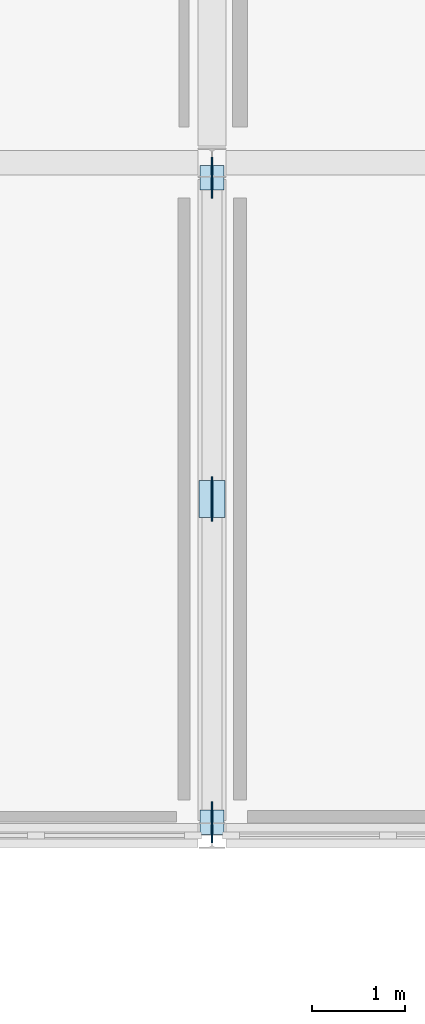
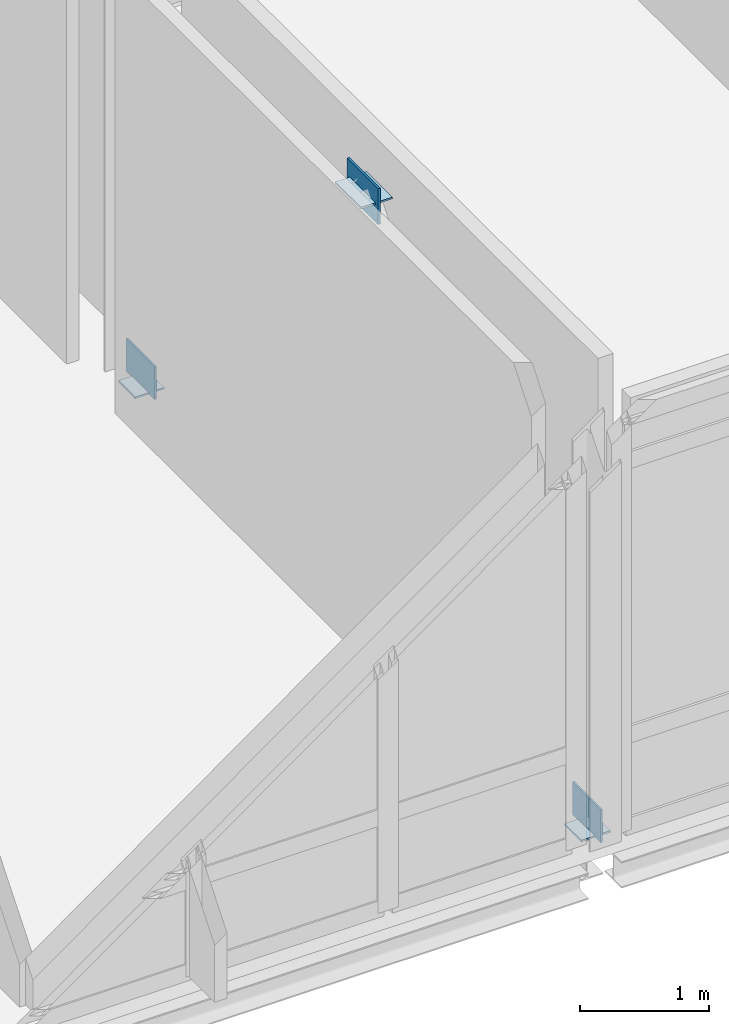
# One storey, part 28 of 43: 6 plates.
"""IFC4 building model written with IfcOpenShell, lengths in metres."""

import ifcopenshell
import ifcopenshell.guid

model = None  # the IFC model being written
_history = None  # IfcOwnerHistory: only IFC2X3 demands one
_inside = {}  # id of a spatial element -> (the spatial element, [elements in it])
_under = {}  # id of a project, library or spatial element -> (it, [spatial elements below it])
_declared = {}  # id of a project -> (the project, [libraries it declares])
_typed = {}  # id of a type object -> (the type object, [elements of that type])
_made_of = {}  # id of a material, layer set ... -> (it, [elements and type objects made of it])


def new_model(schema):
    """Start an empty IFC model of exactly this schema.

    Asked for "IFC4X3", IfcOpenShell would pick the latest addendum, in which some entities
    have other attributes; the version numbers below select the first issue.
    IFC2X3 requires an IfcOwnerHistory on every rooted entity: one is made here for all.
    """
    global model, _history
    if schema == "IFC4X3":
        model = ifcopenshell.file(schema_version=(4, 3, 0, 0))
    else:
        model = ifcopenshell.file(schema=schema)
    _inside.clear()
    _under.clear()
    _declared.clear()
    _typed.clear()
    _made_of.clear()
    _history = None
    if model.schema == "IFC2X3":
        org = make("IfcOrganization", Name="unknown")
        user = make(
            "IfcPersonAndOrganization",
            ThePerson=make("IfcPerson", FamilyName="unknown"),
            TheOrganization=org,
        )
        app = make(
            "IfcApplication",
            ApplicationDeveloper=org,
            Version="unknown",
            ApplicationFullName="unknown",
            ApplicationIdentifier="unknown",
        )
        _history = make(
            "IfcOwnerHistory",
            OwningUser=user,
            OwningApplication=app,
            ChangeAction="ADDED",
            CreationDate=0,
        )
    return model


def make(cls, **values):
    """One entity of the class cls with the attributes given. An attribute that is None is left unset."""
    return model.create_entity(
        cls, **{name: value for name, value in values.items() if value is not None}
    )


def rooted(cls, **values):
    """An entity with a GlobalId (a new one), such as an element, a storey or a relation."""
    return make(cls, GlobalId=ifcopenshell.guid.new(), OwnerHistory=_history, **values)


def si_unit(unit_type, name, prefix=None):
    """IfcSIUnit, for example si_unit("LENGTHUNIT", "METRE", prefix="MILLI")."""
    return make("IfcSIUnit", UnitType=unit_type, Prefix=prefix, Name=name)


def assignment(units):
    """IfcUnitAssignment: the units of a project."""
    return None if units is None else make("IfcUnitAssignment", Units=units)


def point(xyz):
    """IfcCartesianPoint."""
    return None if xyz is None else make("IfcCartesianPoint", Coordinates=xyz)


def direction(xyz):
    """IfcDirection."""
    return None if xyz is None else make("IfcDirection", DirectionRatios=xyz)


def frame(location, z_axis=None, x_axis=None):
    """IfcAxis2Placement3D, a coordinate frame: its origin and axes. An axis left out is left unset."""
    return make(
        "IfcAxis2Placement3D",
        Location=point(location),
        Axis=direction(z_axis),
        RefDirection=direction(x_axis),
    )


def frame_2d(location, x_axis=None):
    """IfcAxis2Placement2D, a coordinate frame in the plane: its origin and x axis."""
    return make(
        "IfcAxis2Placement2D", Location=point(location), RefDirection=direction(x_axis)
    )


def origin():
    """The frame at (0, 0, 0) with its axes left unset."""
    return frame((0.0, 0.0, 0.0))


def origin_2d():
    """The frame at (0, 0) in the plane with its x axis left unset."""
    return frame_2d((0.0, 0.0))


def place(relative_to, where):
    """IfcLocalPlacement: puts the frame where relative to a parent placement (None: the world)."""
    return make(
        "IfcLocalPlacement", PlacementRelTo=relative_to, RelativePlacement=where
    )


def context(
    kind, dimensions, precision=None, world=None, true_north=None, identifier=None
):
    """IfcGeometricRepresentationContext, for example the 3D "Model" context."""
    return make(
        "IfcGeometricRepresentationContext",
        ContextIdentifier=identifier,
        ContextType=kind,
        CoordinateSpaceDimension=dimensions,
        Precision=precision,
        WorldCoordinateSystem=world,
        TrueNorth=true_north,
    )


def subcontext(parent, identifier, kind, view, scale=None):
    """IfcGeometricRepresentationSubContext, for example "Body" below "Model"."""
    return make(
        "IfcGeometricRepresentationSubContext",
        ContextIdentifier=identifier,
        ContextType=kind,
        ParentContext=parent,
        TargetScale=scale,
        TargetView=view,
    )


def project(units=None, contexts=None):
    """IfcProject with its units and contexts."""
    return rooted(
        "IfcProject",
        Name="project",
        RepresentationContexts=contexts,
        UnitsInContext=assignment(units),
    )


def spatial(cls, under=None, at=None, **own):
    """A site, building, storey or space (cls), placed at a placement, below another one or the project."""
    s = rooted(cls, ObjectPlacement=at, **own)
    if under is not None:
        _under.setdefault(under.id(), (under, []))[1].append(s)
    return s


def profile(cls, at=None, kind="AREA", **sizes):
    """A parametric profile (cls). Its sizes go by their IFC names, for example OverallWidth=200.0."""
    return make(cls, ProfileType=kind, Position=at, **sizes)


def rectangle(**sizes):
    """IfcRectangleProfileDef."""
    return profile("IfcRectangleProfileDef", **sizes)


def extrude(swept, where, along, depth):
    """IfcExtrudedAreaSolid: the profile swept, set in the frame where, extruded along a direction by depth."""
    return make(
        "IfcExtrudedAreaSolid",
        SweptArea=swept,
        Position=where,
        ExtrudedDirection=direction(along),
        Depth=depth,
    )


def shape(context_of_items, identifier, shape_type, items):
    """IfcShapeRepresentation: the items that make up one representation, for example the "Body"."""
    return make(
        "IfcShapeRepresentation",
        ContextOfItems=context_of_items,
        RepresentationIdentifier=identifier,
        RepresentationType=shape_type,
        Items=items,
    )


def material(Name=None, Category=None):
    """IfcMaterial."""
    return make("IfcMaterial", Name=Name, Category=Category)


def layer(
    of_material, thickness, ventilated=None, Name=None, Category=None, Priority=None
):
    """IfcMaterialLayer: one layer of a wall or slab, of a material (None: an air gap)."""
    return make(
        "IfcMaterialLayer",
        Material=of_material,
        LayerThickness=thickness,
        IsVentilated=ventilated,
        Name=Name,
        Category=Category,
        Priority=Priority,
    )


def layer_set(layers, Name=None):
    """IfcMaterialLayerSet."""
    return make("IfcMaterialLayerSet", MaterialLayers=layers, LayerSetName=Name)


def made_of(thing, what):
    """Note that an element or type object is made of a material, layer set ...; save() writes the relation."""
    if what is not None:
        _made_of.setdefault(what.id(), (what, []))[1].append(thing)
    return thing


def type_object(cls, material=None, **own):
    """A type object (cls), such as IfcWallType, which elements share."""
    return made_of(rooted(cls, **own), material)


def element(
    cls,
    number,
    at=None,
    inside=None,
    cuts=None,
    type_object=None,
    material=None,
    context=None,
    identifier="Body",
    shape_type=None,
    held_by="IfcProductDefinitionShape",
    body=None,
    shapes=None,
    **own,
):
    """One element of the class cls, such as IfcWall. Its Tag is "e" and its number.

    at: its placement. inside: the storey or other place that contains it. cuts: it is an
    opening in that element (IfcRelVoidsElement). A single representation is given by context,
    identifier, shape_type and body (its items); several are given by shapes. held_by: the class
    of the entity that holds the representations. save() writes the other relations.
    """
    e = rooted(cls, Tag="e%d" % number, ObjectPlacement=at, **own)
    if body is not None:
        shapes = [shape(context, identifier, shape_type, body)]
    if shapes is not None:
        e.Representation = make(held_by, Representations=shapes)
    if inside is not None:
        _inside.setdefault(inside.id(), (inside, []))[1].append(e)
    if cuts is not None:
        rooted(
            "IfcRelVoidsElement", RelatingBuildingElement=cuts, RelatedOpeningElement=e
        )
    if type_object is not None:
        _typed.setdefault(type_object.id(), (type_object, []))[1].append(e)
    return made_of(e, material)


def aggregate(whole, parts):
    """IfcRelAggregates: a whole, such as a stair, and the parts it consists of."""
    return rooted("IfcRelAggregates", RelatingObject=whole, RelatedObjects=parts)


def save(model, path):
    """Write the relations noted so far, then the file.

    IfcRelAggregates (storeys below a building ...), IfcRelContainedInSpatialStructure (elements
    in a storey), IfcRelDefinesByType, IfcRelAssociatesMaterial and IfcRelDeclares: one each for
    every whole, place, type object, material and project.
    """
    for whole, parts in _under.values():
        aggregate(whole, parts)
    for where, things in _inside.values():
        rooted(
            "IfcRelContainedInSpatialStructure",
            RelatedElements=things,
            RelatingStructure=where,
        )
    for kind, things in _typed.values():
        rooted("IfcRelDefinesByType", RelatedObjects=things, RelatingType=kind)
    for what, things in _made_of.values():
        rooted("IfcRelAssociatesMaterial", RelatedObjects=things, RelatingMaterial=what)
    for by, libraries in _declared.values():
        rooted("IfcRelDeclares", RelatingContext=by, RelatedDefinitions=libraries)
    model.write(path)


model = new_model("IFC4")

# Units and contexts
model_context = context("Model", 3, precision=1e-05, world=origin(), true_north=direction((0.0, 1.0)))
body_context = subcontext(model_context, "Body", "Model", "MODEL_VIEW")
ifc_project = project(units=[si_unit("LENGTHUNIT", "METRE"), si_unit("AREAUNIT", "SQUARE_METRE"), si_unit("VOLUMEUNIT", "CUBIC_METRE"), si_unit("PLANEANGLEUNIT", "RADIAN"), si_unit("MASSUNIT", "GRAM", prefix="KILO")], contexts=[model_context])

# Site, building, storey
site_placement = place(None, origin())
site = spatial("IfcSite", under=ifc_project, at=site_placement, CompositionType="ELEMENT")
building_placement = place(site_placement, origin())
building = spatial("IfcBuilding", under=site, at=building_placement, Name="Zarrinpeak Specialist Clinic", CompositionType="ELEMENT")
storey_placement = place(building_placement, frame((0.0, 0.0, 18.39990234375)))
storey = spatial("IfcBuildingStorey", under=building, at=storey_placement, Name="L04", CompositionType="ELEMENT", Elevation=18.39990234375)

# Plates
ifc_material = material(Name="Steel S355", Category="steel")
ifc_layer_1 = layer(ifc_material, 0.01611328125)
ifc_layer_set_1 = layer_set([ifc_layer_1], Name="Steel S355")
plate_type_1 = type_object("IfcPlateType", Name="PL-CAP219", PredefinedType="SHEET", material=ifc_layer_set_1)
for number, where, z_axis, x_axis, name in (
    (1, (50.39990234375, 89.340087890625, 0.0009765625), (0.0, 0.0, 1.0), (1.0, 0.0, 0.0), "V6 L04 Hollow Brace Foot Cap Plate A"),
    (2, (50.39990234375, 96.239990234375, 0.0009765625), (0.0, 0.0, 1.0), (1.0, 0.0, 0.0), "V6 L04 Hollow Brace Foot Cap Plate B"),
):
    element("IfcPlate", number, at=place(storey_placement, frame(where, z_axis=z_axis, x_axis=x_axis)), inside=storey, type_object=plate_type_1, Name=name, PredefinedType="SHEET", context=body_context, shape_type="SweptSolid", body=[
        extrude(rectangle(XDim=0.260009765625, YDim=0.260009765625, at=origin_2d()), origin(), (0.0, 0.0, 1.0), 0.01611328125),
    ])
ifc_layer_2 = layer(ifc_material, 0.02001953125)
ifc_layer_set_2 = layer_set([ifc_layer_2], Name="Steel S355")
plate_type_2 = type_object("IfcPlateType", Name="PL-GN01", PredefinedType="SHEET", material=ifc_layer_set_2)
plate_1_placement = place(storey_placement, frame((50.39990234375, 92.800048828125, 3.7548828125), z_axis=(0.0, 0.0, 1.0), x_axis=(1.0, 0.0, 0.0)))
element("IfcPlate", 3, at=plate_1_placement, inside=storey, type_object=plate_type_2, Name="V6 L04 Chevron Gusset Node Plate GN-V6-L04", PredefinedType="SHEET", context=body_context, shape_type="SweptSolid", body=[
    extrude(rectangle(XDim=0.02001953125, YDim=0.47998046875, at=origin_2d()), origin(), (0.0, 0.0, 1.0), 0.340087890625),
])
ifc_layer_3 = layer(ifc_material, 0.01611328125)
ifc_layer_set_3 = layer_set([ifc_layer_3], Name="Steel S355")
plate_type_3 = type_object("IfcPlateType", Name="PL-GN02", PredefinedType="SHEET", material=ifc_layer_set_3)
plate_2_placement = place(storey_placement, frame((50.39990234375, 92.800048828125, 3.923095703125), z_axis=(0.0, 0.0, 1.0), x_axis=(1.0, 0.0, 0.0)))
element("IfcPlate", 4, at=plate_2_placement, inside=storey, type_object=plate_type_3, Name="V6 L04 Chevron Apex Seal Plate GNCAP-V6-L04", PredefinedType="SHEET", context=body_context, shape_type="SweptSolid", body=[
    extrude(rectangle(XDim=0.280029296875, YDim=0.39990234375, at=origin_2d()), origin(), (0.0, 0.0, 1.0), 0.01611328125),
])
ifc_layer_4 = layer(ifc_material, 0.01806640625)
ifc_layer_set_4 = layer_set([ifc_layer_4], Name="Steel S355")
plate_type_4 = type_object("IfcPlateType", Name="PL-GN03", PredefinedType="SHEET", material=ifc_layer_set_4)
for number, where, z_axis, x_axis, name in (
    (5, (50.39990234375, 89.340087890625, 0.005126953125), (0.0, 0.0, 1.0), (1.0, 0.0, 0.0), "V6 L04 Brace Foot Gusset Plate GNF-V6-L04-A"),
    (6, (50.39990234375, 96.239990234375, 0.005126953125), (0.0, 0.0, 1.0), (1.0, 0.0, 0.0), "V6 L04 Brace Foot Gusset Plate GNF-V6-L04-B"),
):
    element("IfcPlate", number, at=place(storey_placement, frame(where, z_axis=z_axis, x_axis=x_axis)), inside=storey, type_object=plate_type_4, Name=name, PredefinedType="SHEET", context=body_context, shape_type="SweptSolid", body=[
        extrude(rectangle(XDim=0.01806640625, YDim=0.43994140625, at=origin_2d()), origin(), (0.0, 0.0, 1.0), 0.31005859375),
    ])

save(model, "model.ifc")
